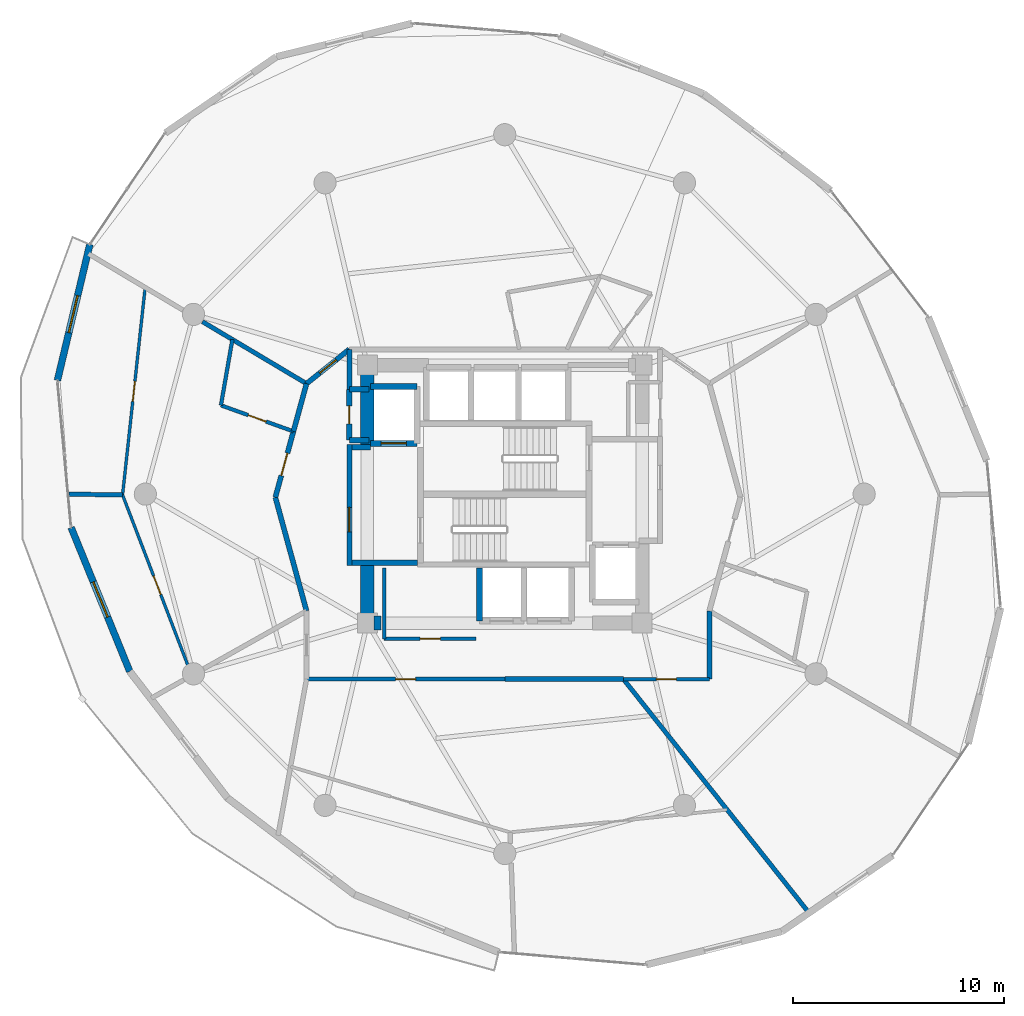
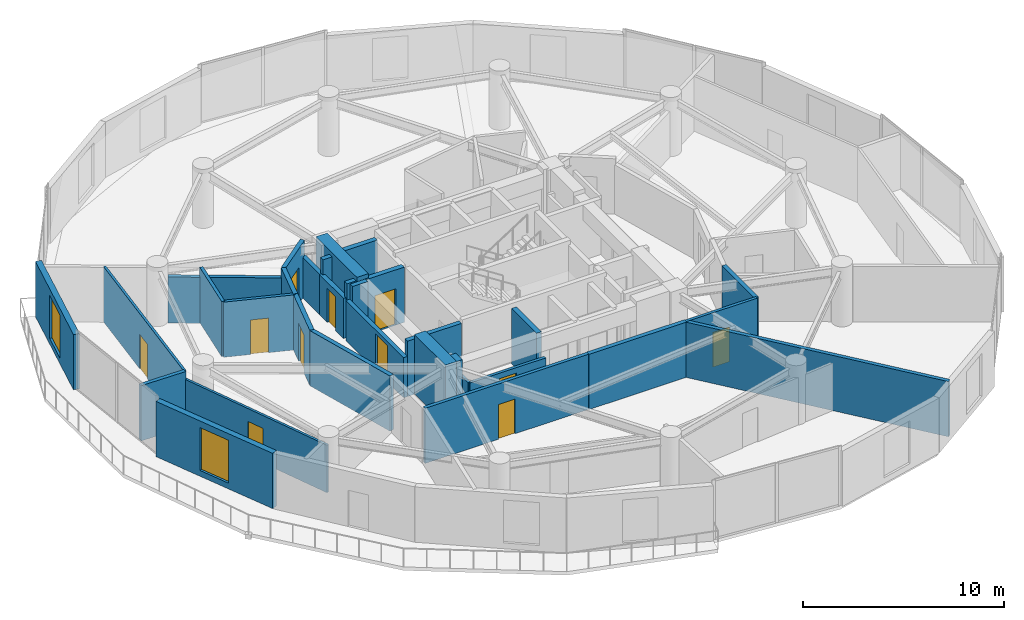
# One storey, part 18 of 22: 32 walls, 11 doors, 2 windows, 13 openings.
"""IFC4 building model written with IfcOpenShell, lengths in metres."""

from ifc_helpers import new_model, si_unit, direction, frame, frame_2d, origin, place, context, subcontext, project, spatial, rectangle, extrude, material, layer, layer_set, type_object, element, fill, save


model = new_model("IFC4")

# Units and contexts
model_context = context("Model", 3, precision=1e-05, world=origin(), true_north=direction((0.0, 1.0)))
body_context = subcontext(model_context, "Body", "Model", "MODEL_VIEW")
ifc_project = project(units=[si_unit("LENGTHUNIT", "METRE"), si_unit("AREAUNIT", "SQUARE_METRE"), si_unit("VOLUMEUNIT", "CUBIC_METRE"), si_unit("PLANEANGLEUNIT", "RADIAN"), si_unit("MASSUNIT", "GRAM", prefix="KILO")], contexts=[model_context])

# Site, building, storey
site_placement = place(None, origin())
site = spatial("IfcSite", under=ifc_project, at=site_placement, CompositionType="ELEMENT")
building_placement = place(site_placement, origin())
building = spatial("IfcBuilding", under=site, at=building_placement, Name="Solvirekh Grand Hotel", CompositionType="ELEMENT")
storey_placement = place(building_placement, frame((0.0, 0.0, 145.800048828125)))
storey = spatial("IfcBuildingStorey", under=building, at=storey_placement, Name="L37", CompositionType="ELEMENT", Elevation=145.800048828125)

# Wall
ifc_material_1 = material(Name="Concrete C40/50", Category="concrete")
ifc_layer_1 = layer(ifc_material_1, 0.280029296875)
ifc_layer_set_1 = layer_set([ifc_layer_1], Name="Concrete C40/50")
wall_type_1 = type_object("IfcWallType", Name="CoreShaftWall_RC280", PredefinedType="SOLIDWALL", material=ifc_layer_set_1)
wall_1_placement = place(storey_placement, frame((-1.199951171875, -3.5, 0.0), z_axis=(0.0, 0.0, 1.0), x_axis=(0.0, -1.0, 0.0)))
element("IfcWall", 1, at=wall_1_placement, inside=storey, type_object=wall_type_1, Name="L37 MP-1 hoistway W wall", PredefinedType="SOLIDWALL", context=body_context, shape_type="SweptSolid", body=[
    extrude(rectangle(XDim=2.5, YDim=0.280029296875, at=frame_2d((1.25, 0.0))), origin(), (0.0, 0.0, 1.0), 3.349853515625),
])

# Wall, opening, door
wall_2_placement = place(storey_placement, frame((-6.35009765625, 2.39990234375, 0.0), z_axis=(0.0, 0.0, 1.0), x_axis=(1.0, 0.0, 0.0)))
wall_2 = element("IfcWall", 2, at=wall_2_placement, inside=storey, type_object=wall_type_1, Name="L37 FL-1 hoistway S wall", PredefinedType="SOLIDWALL", context=body_context, shape_type="SweptSolid", body=[
    extrude(rectangle(XDim=2.2001953125, YDim=0.280029296875, at=frame_2d((1.10009765625, 0.0))), origin(), (0.0, 0.0, 1.0), 3.349853515625),
])
opening_1_placement = place(wall_2_placement, frame((0.5, 0.0, 0.0)))
opening_1 = element("IfcOpeningElement", 3, at=opening_1_placement, cuts=wall_2, Name="Opening LD02", PredefinedType="OPENING", context=body_context, shape_type="SweptSolid", body=[
    extrude(rectangle(XDim=1.199951171875, YDim=2.199951171875, at=frame_2d((0.60009765625, 1.10009765625))), frame((0.0, 0.14990234375, 0.0), z_axis=(0.0, -1.0, 0.0), x_axis=(1.0, 0.0, 0.0)), (0.0, 0.0, 1.0), 0.300048828125),
])
ifc_material_2 = material(Name="Fire-Rated Steel Door Assembly", Category="steel")
door_type_1 = type_object("IfcDoorType", Name="Door_LiftFF_1200X2200", OperationType="SLIDING_TO_LEFT", PredefinedType="DOOR", material=ifc_material_2)
door_1_placement = place(opening_1_placement, origin())
door_1 = element("IfcDoor", 4, at=door_1_placement, inside=storey, type_object=door_type_1, Name="L37 FL-1 sliding lift landing door", OperationType="SLIDING_TO_LEFT", OverallHeight=2.199951171875, OverallWidth=1.199951171875, PredefinedType="DOOR", context=body_context, shape_type="SweptSolid", body=[
    extrude(rectangle(XDim=1.199951171875, YDim=2.199951171875, at=frame_2d((0.60009765625, 1.10009765625))), frame((0.0, 0.02490234375, 0.0), z_axis=(0.0, -1.0, 0.0), x_axis=(1.0, 0.0, 0.0)), (0.0, 0.0, 1.0), 0.050048828125),
])
fill(opening_1, door_1)

# Walls
wall_3_placement = place(storey_placement, frame((-4.14990234375, 5.10009765625, 0.0), z_axis=(0.0, 0.0, 1.0), x_axis=(-1.0, 0.0, 0.0)))
element("IfcWall", 5, at=wall_3_placement, inside=storey, type_object=wall_type_1, Name="L37 FL-1 hoistway N wall", PredefinedType="SOLIDWALL", context=body_context, shape_type="SweptSolid", body=[
    extrude(rectangle(XDim=2.2001953125, YDim=0.280029296875, at=frame_2d((1.10009765625, 0.0))), origin(), (0.0, 0.0, 1.0), 3.349853515625),
])
ifc_material_3 = material(Name="Concrete C50/60", Category="concrete")
ifc_layer_2 = layer(ifc_material_3, 0.64990234375)
ifc_layer_set_2 = layer_set([ifc_layer_2], Name="Concrete C50/60")
wall_type_2 = type_object("IfcWallType", Name="CoreWall_RC650", PredefinedType="SHEAR", material=ifc_layer_set_2)
wall_4_placement = place(storey_placement, frame((-6.175048828125, -6.10009765625, 0.0), z_axis=(0.0, 0.0, 1.0), x_axis=(1.0, 0.0, 0.0)))
element("IfcWall", 6, at=wall_4_placement, inside=storey, type_object=wall_type_2, Name="L37 core corner shear wall SW-S", PredefinedType="SHEAR", context=body_context, shape_type="SweptSolid", body=[
    extrude(rectangle(XDim=0.324951171875, YDim=0.64990234375, at=frame_2d((0.16259765625, 0.0))), origin(), (0.0, 0.0, 1.0), 3.599853515625),
])
wall_5_placement = place(storey_placement, frame((-6.5, 2.35009765625, 0.0), z_axis=(0.0, 0.0, 1.0), x_axis=(0.0, 1.0, 0.0)))
element("IfcWall", 7, at=wall_5_placement, inside=storey, type_object=wall_type_2, Name="L37 core corner shear wall WN-W", PredefinedType="SHEAR", context=body_context, shape_type="SweptSolid", body=[
    extrude(rectangle(XDim=4.074951171875, YDim=0.64990234375, at=frame_2d((2.03759765625, 0.0))), origin(), (0.0, 0.0, 1.0), 3.599853515625),
])
wall_6_placement = place(storey_placement, frame((-6.5, -6.425048828125, 0.0), z_axis=(0.0, 0.0, 1.0), x_axis=(0.0, 1.0, 0.0)))
element("IfcWall", 8, at=wall_6_placement, inside=storey, type_object=wall_type_2, Name="L37 core corner shear wall WS-W", PredefinedType="SHEAR", context=body_context, shape_type="SweptSolid", body=[
    extrude(rectangle(XDim=3.074951171875, YDim=0.64990234375, at=frame_2d((1.53759765625, 0.0))), origin(), (0.0, 0.0, 1.0), 3.599853515625),
])

# Wall, opening, window
ifc_material_4 = material(Name="Precast concrete C45/55", Category="concrete")
ifc_layer_3 = layer(ifc_material_4, 0.320068359375)
ifc_layer_set_3 = layer_set([ifc_layer_3], Name="Precast concrete C45/55")
wall_type_3 = type_object("IfcWallType", Name="ExtLobbyWall_RC320", PredefinedType="SOLIDWALL", material=ifc_layer_set_3)
wall_7_placement = place(storey_placement, frame((-21.157958984375, 5.3779296875, 0.0), z_axis=(0.0, 0.0, 1.0), x_axis=(0.231941586556, 0.972729716019, 0.0)))
wall_7 = element("IfcWall", 9, at=wall_7_placement, inside=storey, type_object=wall_type_3, Name="L37 exterior structural wall chord 12", PredefinedType="SOLIDWALL", context=body_context, shape_type="SweptSolid", body=[
    extrude(rectangle(XDim=6.613525390625, YDim=0.320068359375, at=frame_2d((3.306640625, 0.0))), origin(), (0.0, 0.0, 1.0), 3.349853515625),
])
opening_2_placement = place(wall_7_placement, frame((2.323974609375, 0.0, 0.35009765625)))
opening_2 = element("IfcOpeningElement", 10, at=opening_2_placement, cuts=wall_7, Name="Opening W02", PredefinedType="OPENING", context=body_context, shape_type="SweptSolid", body=[
    extrude(rectangle(XDim=1.800048828125, YDim=2.60009765625, at=frame_2d((0.89990234375, 1.300048828125))), frame((0.0, 0.169921875, 0.0), z_axis=(0.0, -1.0, 0.0), x_axis=(1.0, 0.0, 0.0)), (0.0, 0.0, 1.0), 0.340087890625),
])
ifc_material_5 = material(Name="Low-E Tinted Bronze Laminated Glass", Category="aluminium")
window_type = type_object("IfcWindowType", Name="Win_LobbyExt_1800X2600", PartitioningType="SINGLE_PANEL", PredefinedType="WINDOW", material=ifc_material_5)
window_1_placement = place(opening_2_placement, origin())
window_1 = element("IfcWindow", 11, at=window_1_placement, inside=storey, type_object=window_type, Name="L37 panoramic bronze-framed window 12", OverallHeight=2.60009765625, OverallWidth=1.800048828125, PartitioningType="SINGLE_PANEL", PredefinedType="WINDOW", context=body_context, shape_type="SweptSolid", body=[
    extrude(rectangle(XDim=1.800048828125, YDim=2.60009765625, at=frame_2d((0.89990234375, 1.300048828125))), frame((0.0, 0.030029296875, 0.0), z_axis=(0.0, -1.0, 0.0), x_axis=(1.0, 0.0, 0.0)), (0.0, 0.0, 1.0), 0.06005859375),
])
fill(opening_2, window_1)

wall_8_placement = place(storey_placement, frame((-17.738037109375, -8.385009765625, 0.0), z_axis=(0.0, 0.0, 1.0), x_axis=(-0.377067798902, 0.926185659051, 0.0)))
wall_8 = element("IfcWall", 12, at=wall_8_placement, inside=storey, type_object=wall_type_3, Name="L37 exterior structural wall chord 14", PredefinedType="SOLIDWALL", context=body_context, shape_type="SweptSolid", body=[
    extrude(rectangle(XDim=7.34619140625, YDim=0.320068359375, at=frame_2d((3.673095703125, 0.0))), origin(), (0.0, 0.0, 1.0), 3.349853515625),
])
opening_3_placement = place(wall_8_placement, frame((2.77294921875, 0.0, 0.35009765625)))
opening_3 = element("IfcOpeningElement", 13, at=opening_3_placement, cuts=wall_8, Name="Opening W02", PredefinedType="OPENING", context=body_context, shape_type="SweptSolid", body=[
    extrude(rectangle(XDim=1.800048828125, YDim=2.60009765625, at=frame_2d((0.89990234375, 1.300048828125))), frame((0.0, 0.169921875, 0.0), z_axis=(0.0, -1.0, 0.0), x_axis=(1.0, 0.0, 0.0)), (0.0, 0.0, 1.0), 0.340087890625),
])
window_2_placement = place(opening_3_placement, origin())
window_2 = element("IfcWindow", 14, at=window_2_placement, inside=storey, type_object=window_type, Name="L37 panoramic bronze-framed window 14", OverallHeight=2.60009765625, OverallWidth=1.800048828125, PartitioningType="SINGLE_PANEL", PredefinedType="WINDOW", context=body_context, shape_type="SweptSolid", body=[
    extrude(rectangle(XDim=1.800048828125, YDim=2.60009765625, at=frame_2d((0.89990234375, 1.300048828125))), frame((0.0, 0.030029296875, 0.0), z_axis=(0.0, -1.0, 0.0), x_axis=(1.0, 0.0, 0.0)), (0.0, 0.0, 1.0), 0.06005859375),
])
fill(opening_3, window_2)

# Wall, opening, door
ifc_material_6 = material(Name="Acoustic Gypsum Partition Assembly")
ifc_layer_4 = layer(ifc_material_6, 0.1650390625)
ifc_layer_set_4 = layer_set([ifc_layer_4], Name="Acoustic Gypsum Partition Assembly")
wall_type_4 = type_object("IfcWallType", Name="Part_BOH_165", PredefinedType="PARTITIONING", material=ifc_layer_set_4)
wall_9_placement = place(storey_placement, frame((-5.699951171875, -6.85009765625, 0.0), z_axis=(0.0, 0.0, 1.0), x_axis=(1.0, 0.0, 0.0)))
wall_9 = element("IfcWall", 15, at=wall_9_placement, inside=storey, type_object=wall_type_4, Name="L37 Mid-Zone Housekeeping Linen Room wall 1", PredefinedType="PARTITIONING", context=body_context, shape_type="SweptSolid", body=[
    extrude(rectangle(XDim=4.349853515625, YDim=0.1650390625, at=frame_2d((2.1748046875, 0.0))), origin(), (0.0, 0.0, 1.0), 2.43505859375),
])
opening_4_placement = place(wall_9_placement, frame((1.699951171875, 0.0, 0.0)))
opening_4 = element("IfcOpeningElement", 16, at=opening_4_placement, cuts=wall_9, Name="Opening D10", PredefinedType="OPENING", context=body_context, shape_type="SweptSolid", body=[
    extrude(rectangle(XDim=0.949951171875, YDim=2.10009765625, at=frame_2d((0.47509765625, 1.050048828125))), frame((0.0, 0.092529296875, 0.0), z_axis=(0.0, -1.0, 0.0), x_axis=(1.0, 0.0, 0.0)), (0.0, 0.0, 1.0), 0.18505859375),
])
ifc_material_7 = material(Name="Anodized Bronze Aluminium 6063-T6", Category="aluminium")
door_type_2 = type_object("IfcDoorType", Name="Door_RoomInt_950X2100", OperationType="NOTDEFINED", PredefinedType="DOOR", material=ifc_material_7)
door_2_placement = place(opening_4_placement, origin())
door_2 = element("IfcDoor", 17, at=door_2_placement, inside=storey, type_object=door_type_2, Name="L37 Mid-Zone Housekeeping Linen Room door", OperationType="SINGLE_SWING_RIGHT", OverallHeight=2.10009765625, OverallWidth=0.949951171875, PredefinedType="DOOR", context=body_context, shape_type="SweptSolid", body=[
    extrude(rectangle(XDim=0.949951171875, YDim=2.10009765625, at=frame_2d((0.47509765625, 1.050048828125))), frame((0.0, 0.02490234375, 0.0), z_axis=(0.0, -1.0, 0.0), x_axis=(1.0, 0.0, 0.0)), (0.0, 0.0, 1.0), 0.050048828125),
])
fill(opening_4, door_2)

# Wall
wall_10_placement = place(storey_placement, frame((-5.699951171875, -3.5, 0.0), z_axis=(0.0, 0.0, 1.0), x_axis=(0.0, -1.0, 0.0)))
element("IfcWall", 18, at=wall_10_placement, inside=storey, type_object=wall_type_4, Name="L37 Mid-Zone Housekeeping Linen Room wall 4", PredefinedType="PARTITIONING", context=body_context, shape_type="SweptSolid", body=[
    extrude(rectangle(XDim=3.35009765625, YDim=0.1650390625, at=frame_2d((1.675048828125, 0.0))), origin(), (0.0, 0.0, 1.0), 2.43505859375),
])

# Wall, opening, door
wall_11_placement = place(storey_placement, frame((5.612060546875, -8.75, 0.0), z_axis=(0.0, 0.0, 1.0), x_axis=(1.0, 0.0, 0.0)))
wall_11 = element("IfcWall", 19, at=wall_11_placement, inside=storey, type_object=wall_type_4, Name="L37 L37 Butler Valet & Linen Steward Room entrance wall", PredefinedType="PARTITIONING", context=body_context, shape_type="SweptSolid", body=[
    extrude(rectangle(XDim=4.06396484375, YDim=0.1650390625, at=frame_2d((2.031982421875, 0.0))), origin(), (0.0, 0.0, 1.0), 3.349853515625),
])
opening_5_placement = place(wall_11_placement, frame((1.556884765625, 0.0, 0.0)))
opening_5 = element("IfcOpeningElement", 20, at=opening_5_placement, cuts=wall_11, Name="Opening D10", PredefinedType="OPENING", context=body_context, shape_type="SweptSolid", body=[
    extrude(rectangle(XDim=0.949951171875, YDim=2.10009765625, at=frame_2d((0.47509765625, 1.050048828125))), frame((0.0, 0.092529296875, 0.0), z_axis=(0.0, -1.0, 0.0), x_axis=(1.0, 0.0, 0.0)), (0.0, 0.0, 1.0), 0.18505859375),
])
door_3_placement = place(opening_5_placement, origin())
door_3 = element("IfcDoor", 21, at=door_3_placement, inside=storey, type_object=door_type_2, Name="L37 L37 Butler Valet & Linen Steward Room entrance door", OperationType="SINGLE_SWING_LEFT", OverallHeight=2.10009765625, OverallWidth=0.949951171875, PredefinedType="DOOR", context=body_context, shape_type="SweptSolid", body=[
    extrude(rectangle(XDim=0.949951171875, YDim=2.10009765625, at=frame_2d((0.47509765625, 1.050048828125))), frame((0.0, 0.02490234375, 0.0), z_axis=(0.0, -1.0, 0.0), x_axis=(1.0, 0.0, 0.0)), (0.0, 0.0, 1.0), 0.050048828125),
])
fill(opening_5, door_3)

ifc_layer_5 = layer(ifc_material_6, 0.239990234375)
ifc_layer_set_5 = layer_set([ifc_layer_5], Name="Acoustic Gypsum Partition Assembly")
wall_type_5 = type_object("IfcWallType", Name="Part_Corridor_240", PredefinedType="PARTITIONING", material=ifc_layer_set_5)
wall_12_placement = place(storey_placement, frame((-7.35009765625, -3.3798828125, 0.0), z_axis=(0.0, 0.0, 1.0), x_axis=(0.0, 1.0, 0.0)))
wall_12 = element("IfcWall", 22, at=wall_12_placement, inside=storey, type_object=wall_type_5, Name="L37 west firefighting lobby smoke screen wall", PredefinedType="PARTITIONING", context=body_context, shape_type="SweptSolid", body=[
    extrude(rectangle(XDim=5.719970703125, YDim=0.239990234375, at=frame_2d((2.85986328125, 0.0))), origin(), (0.0, 0.0, 1.0), 2.43505859375),
])
opening_6_placement = place(wall_12_placement, frame((1.59912109375, 0.0, 0.0)))
opening_6 = element("IfcOpeningElement", 23, at=opening_6_placement, cuts=wall_12, Name="Opening D06", PredefinedType="OPENING", context=body_context, shape_type="SweptSolid", body=[
    extrude(rectangle(XDim=1.14990234375, YDim=2.199951171875, at=frame_2d((0.574951171875, 1.10009765625))), frame((0.0, 0.1298828125, 0.0), z_axis=(0.0, -1.0, 0.0), x_axis=(1.0, 0.0, 0.0)), (0.0, 0.0, 1.0), 0.260009765625),
])
door_type_3 = type_object("IfcDoorType", Name="Door_FFLobby_1150X2200", OperationType="NOTDEFINED", PredefinedType="DOOR", material=ifc_material_2)
door_4_placement = place(opening_6_placement, origin())
door_4 = element("IfcDoor", 24, at=door_4_placement, inside=storey, type_object=door_type_3, Name="L37 west firefighting lobby smoke door", OperationType="SINGLE_SWING_RIGHT", OverallHeight=2.199951171875, OverallWidth=1.14990234375, PredefinedType="DOOR", context=body_context, shape_type="SweptSolid", body=[
    extrude(rectangle(XDim=1.14990234375, YDim=2.199951171875, at=frame_2d((0.574951171875, 1.10009765625))), frame((0.0, 0.02490234375, 0.0), z_axis=(0.0, -1.0, 0.0), x_axis=(1.0, 0.0, 0.0)), (0.0, 0.0, 1.0), 0.050048828125),
])
fill(opening_6, door_4)

# Wall
wall_13_placement = place(storey_placement, frame((-7.35009765625, 4.949951171875, 0.0), z_axis=(0.0, 0.0, 1.0), x_axis=(0.0, 1.0, 0.0)))
element("IfcWall", 25, at=wall_13_placement, inside=storey, type_object=wall_type_5, Name="L37 NW core cheek closure wall", PredefinedType="PARTITIONING", context=body_context, shape_type="SweptSolid", body=[
    extrude(rectangle(XDim=1.900146484375, YDim=0.239990234375, at=frame_2d((0.9501953125, 0.0))), origin(), (0.0, 0.0, 1.0), 2.43505859375),
])

# Wall, opening, door
wall_14_placement = place(storey_placement, frame((-9.3759765625, 5.22509765625, 0.0), z_axis=(0.0, 0.0, 1.0), x_axis=(0.780061082582, 0.625703370169, 0.0)))
wall_14 = element("IfcWall", 26, at=wall_14_placement, inside=storey, type_object=wall_type_5, Name="L37 Panorama Suite 3902 entrance wall", PredefinedType="PARTITIONING", context=body_context, shape_type="SweptSolid", body=[
    extrude(rectangle(XDim=2.59716796875, YDim=0.239990234375, at=frame_2d((1.298583984375, 0.0))), origin(), (0.0, 0.0, 1.0), 3.349853515625),
])
opening_7_placement = place(wall_14_placement, frame((0.799072265625, 0.0, 0.0)))
opening_7 = element("IfcOpeningElement", 27, at=opening_7_placement, cuts=wall_14, Name="Opening D07", PredefinedType="OPENING", context=body_context, shape_type="SweptSolid", body=[
    extrude(rectangle(XDim=1.0, YDim=2.199951171875, at=frame_2d((0.5, 1.10009765625))), frame((0.0, 0.1298828125, 0.0), z_axis=(0.0, -1.0, 0.0), x_axis=(1.0, 0.0, 0.0)), (0.0, 0.0, 1.0), 0.260009765625),
])
door_type_4 = type_object("IfcDoorType", Name="Door_GuestEntry_1000X2200", OperationType="NOTDEFINED", PredefinedType="DOOR", material=ifc_material_2)
door_5_placement = place(opening_7_placement, origin())
door_5 = element("IfcDoor", 28, at=door_5_placement, inside=storey, type_object=door_type_4, Name="L37 Panorama Suite 3902 entrance door", OperationType="SINGLE_SWING_RIGHT", OverallHeight=2.199951171875, OverallWidth=1.0, PredefinedType="DOOR", context=body_context, shape_type="SweptSolid", body=[
    extrude(rectangle(XDim=1.0, YDim=2.199951171875, at=frame_2d((0.5, 1.10009765625))), frame((0.0, 0.02490234375, 0.0), z_axis=(0.0, -1.0, 0.0), x_axis=(1.0, 0.0, 0.0)), (0.0, 0.0, 1.0), 0.050048828125),
])
fill(opening_7, door_5)

# Walls
wall_15_placement = place(storey_placement, frame((-9.3759765625, 5.22509765625, 0.0), z_axis=(0.0, 0.0, 1.0), x_axis=(-0.264431780812, -0.964404393031, 0.0)))
element("IfcWall", 29, at=wall_15_placement, inside=storey, type_object=wall_type_5, Name="L37 En-suite Bathroom 3903 corridor backing wall", PredefinedType="PARTITIONING", context=body_context, shape_type="SweptSolid", body=[
    extrude(rectangle(XDim=2.34130859375, YDim=0.239990234375, at=frame_2d((1.170654296875, 0.0))), origin(), (0.0, 0.0, 1.0), 3.349853515625),
])
wall_16_placement = place(storey_placement, frame((-10.85009765625, -0.14990234375, 0.0), z_axis=(0.0, 0.0, 1.0), x_axis=(0.264488542062, -0.964388827765, 0.0)))
element("IfcWall", 30, at=wall_16_placement, inside=storey, type_object=wall_type_5, Name="L37 Executive Suite 3903 Living Room corridor wall 1", PredefinedType="PARTITIONING", context=body_context, shape_type="SweptSolid", body=[
    extrude(rectangle(XDim=5.573486328125, YDim=0.239990234375, at=frame_2d((2.78662109375, 0.0))), origin(), (0.0, 0.0, 1.0), 3.349853515625),
])

# Wall, opening, door
wall_17_placement = place(storey_placement, frame((-9.9951171875, 2.967041015625, 0.0), z_axis=(0.0, 0.0, 1.0), x_axis=(-0.264529660797, -0.9643775498, 0.0)))
wall_17 = element("IfcWall", 31, at=wall_17_placement, inside=storey, type_object=wall_type_5, Name="L37 Executive Suite 3903 Living Room entrance wall", PredefinedType="PARTITIONING", context=body_context, shape_type="SweptSolid", body=[
    extrude(rectangle(XDim=3.232177734375, YDim=0.239990234375, at=frame_2d((1.6162109375, 0.0))), origin(), (0.0, 0.0, 1.0), 3.349853515625),
])
opening_8_placement = place(wall_17_placement, frame((1.06591796875, 0.0, 0.0)))
opening_8 = element("IfcOpeningElement", 32, at=opening_8_placement, cuts=wall_17, Name="Opening D08", PredefinedType="OPENING", context=body_context, shape_type="SweptSolid", body=[
    extrude(rectangle(XDim=1.10009765625, YDim=2.300048828125, at=frame_2d((0.550048828125, 1.14990234375))), frame((0.0, 0.1298828125, 0.0), z_axis=(0.0, -1.0, 0.0), x_axis=(1.0, 0.0, 0.0)), (0.0, 0.0, 1.0), 0.260009765625),
])
door_type_5 = type_object("IfcDoorType", Name="Door_SuiteEntry_1100X2300", OperationType="NOTDEFINED", PredefinedType="DOOR", material=ifc_material_2)
door_6_placement = place(opening_8_placement, origin())
door_6 = element("IfcDoor", 33, at=door_6_placement, inside=storey, type_object=door_type_5, Name="L37 Executive Suite 3903 Living Room entrance door", OperationType="SINGLE_SWING_RIGHT", OverallHeight=2.300048828125, OverallWidth=1.10009765625, PredefinedType="DOOR", context=body_context, shape_type="SweptSolid", body=[
    extrude(rectangle(XDim=1.10009765625, YDim=2.300048828125, at=frame_2d((0.550048828125, 1.14990234375))), frame((0.0, 0.02490234375, 0.0), z_axis=(0.0, -1.0, 0.0), x_axis=(1.0, 0.0, 0.0)), (0.0, 0.0, 1.0), 0.050048828125),
])
fill(opening_8, door_6)

# Walls
wall_18_placement = place(storey_placement, frame((0.0, -8.75, 0.0), z_axis=(0.0, 0.0, 1.0), x_axis=(1.0, 0.0, 0.0)))
element("IfcWall", 34, at=wall_18_placement, inside=storey, type_object=wall_type_5, Name="L37 L37 Royal Library Lounge corridor wall 1", PredefinedType="PARTITIONING", context=body_context, shape_type="SweptSolid", body=[
    extrude(rectangle(XDim=5.612060546875, YDim=0.239990234375, at=frame_2d((2.80615234375, 0.0))), origin(), (0.0, 0.0, 1.0), 3.349853515625),
])
wall_19_placement = place(storey_placement, frame((9.676025390625, -8.75, 0.0), z_axis=(0.0, 0.0, 1.0), x_axis=(0.0, 1.0, 0.0)))
element("IfcWall", 35, at=wall_19_placement, inside=storey, type_object=wall_type_5, Name="L37 L37 Butler Valet & Linen Steward Room corridor wall 1", PredefinedType="PARTITIONING", context=body_context, shape_type="SweptSolid", body=[
    extrude(rectangle(XDim=3.22509765625, YDim=0.239990234375, at=frame_2d((1.612548828125, 0.0))), origin(), (0.0, 0.0, 1.0), 3.349853515625),
])

# Wall, opening, door
ifc_layer_6 = layer(ifc_material_6, 0.18994140625)
ifc_layer_set_6 = layer_set([ifc_layer_6], Name="Acoustic Gypsum Partition Assembly")
wall_type_6 = type_object("IfcWallType", Name="Part_GuestDemise_190", PredefinedType="PARTITIONING", material=ifc_layer_set_6)
wall_20_placement = place(storey_placement, frame((-9.3759765625, -8.75, 0.0), z_axis=(0.0, 0.0, 1.0), x_axis=(1.0, 0.0, 0.0)))
wall_20 = element("IfcWall", 36, at=wall_20_placement, inside=storey, type_object=wall_type_6, Name="L37 L37 Royal Library Lounge entrance wall", PredefinedType="PARTITIONING", context=body_context, shape_type="SweptSolid", body=[
    extrude(rectangle(XDim=9.3759765625, YDim=0.18994140625, at=frame_2d((4.68798828125, 0.0))), origin(), (0.0, 0.0, 1.0), 3.349853515625),
])
opening_9_placement = place(wall_20_placement, frame((4.212890625, 0.0, 0.0)))
opening_9 = element("IfcOpeningElement", 37, at=opening_9_placement, cuts=wall_20, Name="Opening D10", PredefinedType="OPENING", context=body_context, shape_type="SweptSolid", body=[
    extrude(rectangle(XDim=0.949951171875, YDim=2.10009765625, at=frame_2d((0.47509765625, 1.050048828125))), frame((0.0, 0.10498046875, 0.0), z_axis=(0.0, -1.0, 0.0), x_axis=(1.0, 0.0, 0.0)), (0.0, 0.0, 1.0), 0.2099609375),
])
door_7_placement = place(opening_9_placement, origin())
door_7 = element("IfcDoor", 38, at=door_7_placement, inside=storey, type_object=door_type_2, Name="L37 L37 Royal Library Lounge entrance door", OperationType="SINGLE_SWING_LEFT", OverallHeight=2.10009765625, OverallWidth=0.949951171875, PredefinedType="DOOR", context=body_context, shape_type="SweptSolid", body=[
    extrude(rectangle(XDim=0.949951171875, YDim=2.10009765625, at=frame_2d((0.47509765625, 1.050048828125))), frame((0.0, 0.02490234375, 0.0), z_axis=(0.0, -1.0, 0.0), x_axis=(1.0, 0.0, 0.0)), (0.0, 0.0, 1.0), 0.050048828125),
])
fill(opening_9, door_7)

# Walls
ifc_layer_7 = layer(ifc_material_6, 0.260009765625)
ifc_layer_set_7 = layer_set([ifc_layer_7], Name="Acoustic Gypsum Partition Assembly")
wall_type_7 = type_object("IfcWallType", Name="Part_LobbyFF_260", PredefinedType="PARTITIONING", material=ifc_layer_set_7)
wall_21_placement = place(storey_placement, frame((-7.22509765625, -3.25, 0.0), z_axis=(0.0, 0.0, 1.0), x_axis=(1.0, 0.0, 0.0)))
element("IfcWall", 39, at=wall_21_placement, inside=storey, type_object=wall_type_7, Name="L37 west firefighting lobby south partition", PredefinedType="PARTITIONING", context=body_context, shape_type="SweptSolid", body=[
    extrude(rectangle(XDim=3.09521484375, YDim=0.260009765625, at=frame_2d((1.547607421875, 0.0))), origin(), (0.0, 0.0, 1.0), 3.349853515625),
])
wall_22_placement = place(storey_placement, frame((-7.22509765625, 2.2099609375, 0.0), z_axis=(0.0, 0.0, 1.0), x_axis=(1.0, 0.0, 0.0)))
element("IfcWall", 40, at=wall_22_placement, inside=storey, type_object=wall_type_7, Name="L37 west firefighting lobby NW cheek", PredefinedType="PARTITIONING", context=body_context, shape_type="SweptSolid", body=[
    extrude(rectangle(XDim=0.875, YDim=0.260009765625, at=frame_2d((0.4375, 0.0))), origin(), (0.0, 0.0, 1.0), 3.349853515625),
])
for number, where, z_axis, x_axis, name in (
    (41, (-7.35009765625, 4.949951171875, 0.0), (0.0, 0.0, 1.0), (1.0, 0.0, 0.0), "L37 NW telecom metering cupboard north wall"),
    (42, (-7.35009765625, 2.550048828125, 0.0), (0.0, 0.0, 1.0), (1.0, 0.0, 0.0), "L37 NW telecom metering cupboard south wall"),
):
    element("IfcWall", number, at=place(storey_placement, frame(where, z_axis=z_axis, x_axis=x_axis)), inside=storey, type_object=wall_type_7, Name=name, PredefinedType="PARTITIONING", context=body_context, shape_type="SweptSolid", body=[
        extrude(rectangle(XDim=0.93017578125, YDim=0.260009765625, at=frame_2d((0.465087890625, 0.0))), origin(), (0.0, 0.0, 1.0), 3.349853515625),
    ])

# Wall, opening, door
wall_23_placement = place(storey_placement, frame((-7.35009765625, 2.550048828125, 0.0), z_axis=(0.0, 0.0, 1.0), x_axis=(0.0, 1.0, 0.0)))
wall_23 = element("IfcWall", 43, at=wall_23_placement, inside=storey, type_object=wall_type_7, Name="L37 NW telecom metering cupboard access wall", PredefinedType="PARTITIONING", context=body_context, shape_type="SweptSolid", body=[
    extrude(rectangle(XDim=2.39990234375, YDim=0.260009765625, at=frame_2d((1.199951171875, 0.0))), origin(), (0.0, 0.0, 1.0), 2.43505859375),
])
opening_10_placement = place(wall_23_placement, frame((0.77490234375, 0.0, 0.0)))
opening_10 = element("IfcOpeningElement", 44, at=opening_10_placement, cuts=wall_23, Name="Opening D13", PredefinedType="OPENING", context=body_context, shape_type="SweptSolid", body=[
    extrude(rectangle(XDim=0.85009765625, YDim=2.050048828125, at=frame_2d((0.425048828125, 1.02490234375))), frame((0.0, 0.14013671875, 0.0), z_axis=(0.0, -1.0, 0.0), x_axis=(1.0, 0.0, 0.0)), (0.0, 0.0, 1.0), 0.280029296875),
])
door_type_6 = type_object("IfcDoorType", Name="Door_RiserShaft_850X2050", OperationType="NOTDEFINED", PredefinedType="DOOR", material=ifc_material_2)
door_8_placement = place(opening_10_placement, origin())
door_8 = element("IfcDoor", 45, at=door_8_placement, inside=storey, type_object=door_type_6, Name="L37 telecom metering cupboard access door", OperationType="SINGLE_SWING_RIGHT", OverallHeight=2.050048828125, OverallWidth=0.85009765625, PredefinedType="DOOR", context=body_context, shape_type="SweptSolid", body=[
    extrude(rectangle(XDim=0.85009765625, YDim=2.050048828125, at=frame_2d((0.425048828125, 1.02490234375))), frame((0.0, 0.02490234375, 0.0), z_axis=(0.0, -1.0, 0.0), x_axis=(1.0, 0.0, 0.0)), (0.0, 0.0, 1.0), 0.050048828125),
])
fill(opening_10, door_8)

ifc_layer_8 = layer(ifc_material_6, 0.135009765625)
ifc_layer_set_8 = layer_set([ifc_layer_8], Name="Acoustic Gypsum Partition Assembly")
wall_type_8 = type_object("IfcWallType", Name="Part_RoomInt_135", PredefinedType="PARTITIONING", material=ifc_layer_set_8)
wall_24_placement = place(storey_placement, frame((-17.008056640625, 9.77099609375, 0.0), z_axis=(0.0, 0.0, 1.0), x_axis=(-0.108313259842, -0.994116812926, 0.0)))
wall_24 = element("IfcWall", 46, at=wall_24_placement, inside=storey, type_object=wall_type_8, Name="L37 Executive Suite 3903 Living Room bedroom screen wall", PredefinedType="PARTITIONING", context=body_context, shape_type="SweptSolid", body=[
    extrude(rectangle(XDim=9.8681640625, YDim=0.135009765625, at=frame_2d((4.93408203125, 0.0))), origin(), (0.0, 0.0, 1.0), 3.349853515625),
])
opening_11_placement = place(wall_24_placement, frame((4.458984375, 0.0, 0.0)))
opening_11 = element("IfcOpeningElement", 47, at=opening_11_placement, cuts=wall_24, Name="Opening D10", PredefinedType="OPENING", context=body_context, shape_type="SweptSolid", body=[
    extrude(rectangle(XDim=0.949951171875, YDim=2.10009765625, at=frame_2d((0.47509765625, 1.050048828125))), frame((0.0, 0.07763671875, 0.0), z_axis=(0.0, -1.0, 0.0), x_axis=(1.0, 0.0, 0.0)), (0.0, 0.0, 1.0), 0.155029296875),
])
door_9_placement = place(opening_11_placement, origin())
door_9 = element("IfcDoor", 48, at=door_9_placement, inside=storey, type_object=door_type_2, Name="L37 Executive Suite 3903 Living Room master bedroom door", OperationType="SINGLE_SWING_LEFT", OverallHeight=2.10009765625, OverallWidth=0.949951171875, PredefinedType="DOOR", context=body_context, shape_type="SweptSolid", body=[
    extrude(rectangle(XDim=0.949951171875, YDim=2.10009765625, at=frame_2d((0.47509765625, 1.050048828125))), frame((0.0, 0.02490234375, 0.0), z_axis=(0.0, -1.0, 0.0), x_axis=(1.0, 0.0, 0.0)), (0.0, 0.0, 1.0), 0.050048828125),
])
fill(opening_11, door_9)

wall_25_placement = place(storey_placement, frame((-18.076904296875, -0.0390625, 0.0), z_axis=(0.0, 0.0, 1.0), x_axis=(0.357853364302, -0.933777794584, 0.0)))
wall_25 = element("IfcWall", 49, at=wall_25_placement, inside=storey, type_object=wall_type_8, Name="L37 Executive Suite 3903 Panorama Suite Study bedroom screen wall", PredefinedType="PARTITIONING", context=body_context, shape_type="SweptSolid", body=[
    extrude(rectangle(XDim=9.143310546875, YDim=0.135009765625, at=frame_2d((4.57177734375, 0.0))), origin(), (0.0, 0.0, 1.0), 2.87890625),
])
opening_12_placement = place(wall_25_placement, frame((4.096923828125, 0.0, 0.0)))
opening_12 = element("IfcOpeningElement", 50, at=opening_12_placement, cuts=wall_25, Name="Opening D10", PredefinedType="OPENING", context=body_context, shape_type="SweptSolid", body=[
    extrude(rectangle(XDim=0.949951171875, YDim=2.10009765625, at=frame_2d((0.47509765625, 1.050048828125))), frame((0.0, 0.07763671875, 0.0), z_axis=(0.0, -1.0, 0.0), x_axis=(1.0, 0.0, 0.0)), (0.0, 0.0, 1.0), 0.155029296875),
])
door_10_placement = place(opening_12_placement, origin())
door_10 = element("IfcDoor", 51, at=door_10_placement, inside=storey, type_object=door_type_2, Name="L37 Executive Suite 3903 Panorama Suite Study master bedroom door", OperationType="SINGLE_SWING_RIGHT", OverallHeight=2.10009765625, OverallWidth=0.949951171875, PredefinedType="DOOR", context=body_context, shape_type="SweptSolid", body=[
    extrude(rectangle(XDim=0.949951171875, YDim=2.10009765625, at=frame_2d((0.47509765625, 1.050048828125))), frame((0.0, 0.02490234375, 0.0), z_axis=(0.0, -1.0, 0.0), x_axis=(1.0, 0.0, 0.0)), (0.0, 0.0, 1.0), 0.050048828125),
])
fill(opening_12, door_10)

# Walls
ifc_layer_9 = layer(ifc_material_6, 0.2099609375)
ifc_layer_set_9 = layer_set([ifc_layer_9], Name="Acoustic Gypsum Partition Assembly")
wall_type_9 = type_object("IfcWallType", Name="Part_SuiteDemise_210", PredefinedType="PARTITIONING", material=ifc_layer_set_9)
wall_26_placement = place(storey_placement, frame((-9.3759765625, 5.22509765625, 0.0), z_axis=(0.0, 0.0, 1.0), x_axis=(-0.859180057994, 0.511673360598, 0.0)))
element("IfcWall", 52, at=wall_26_placement, inside=storey, type_object=wall_type_9, Name="L37 suite radial wall 6 (A)", PredefinedType="PARTITIONING", context=body_context, shape_type="SweptSolid", body=[
    extrude(rectangle(XDim=5.72998046875, YDim=0.2099609375, at=frame_2d((2.864990234375, 0.0))), origin(), (0.0, 0.0, 1.0), 2.791015625),
])
wall_27_placement = place(storey_placement, frame((-18.076904296875, -0.0390625, 0.0), z_axis=(0.0, 0.0, 1.0), x_axis=(-0.999881677808, 0.015382795043, 0.0)))
element("IfcWall", 53, at=wall_27_placement, inside=storey, type_object=wall_type_9, Name="L37 Executive Suite 3903 Living Room dividing partition 1", PredefinedType="PARTITIONING", context=body_context, shape_type="SweptSolid", body=[
    extrude(rectangle(XDim=2.539306640625, YDim=0.2099609375, at=frame_2d((1.26953125, 0.0))), origin(), (0.0, 0.0, 1.0), 3.349853515625),
])
wall_28_placement = place(storey_placement, frame((5.612060546875, -8.75, 0.0), z_axis=(0.0, 0.0, 1.0), x_axis=(0.62188276913, -0.783110350755, 0.0)))
element("IfcWall", 54, at=wall_28_placement, inside=storey, type_object=wall_type_9, Name="L37 L37 Royal Library Lounge dividing partition 1", PredefinedType="PARTITIONING", context=body_context, shape_type="SweptSolid", body=[
    extrude(rectangle(XDim=14.07958984375, YDim=0.2099609375, at=frame_2d((7.039794921875, 0.0))), origin(), (0.0, 0.0, 1.0), 3.349853515625),
])
ifc_layer_10 = layer(ifc_material_6, 0.175048828125)
ifc_layer_set_10 = layer_set([ifc_layer_10], Name="Acoustic Gypsum Partition Assembly")
wall_type_10 = type_object("IfcWallType", Name="Plumb_Ensuite_175", PredefinedType="PLUMBINGWALL", material=ifc_layer_set_10)
wall_29_placement = place(storey_placement, frame((-12.883056640625, 7.31396484375, 0.0), z_axis=(0.0, 0.0, 1.0), x_axis=(-0.171171661644, -0.985241220336, 0.0)))
element("IfcWall", 55, at=wall_29_placement, inside=storey, type_object=wall_type_10, Name="L37 En-suite Bathroom 3903 outer plumbing wall", PredefinedType="PLUMBINGWALL", context=body_context, shape_type="SweptSolid", body=[
    extrude(rectangle(XDim=3.16064453125, YDim=0.175048828125, at=frame_2d((1.580322265625, 0.0))), origin(), (0.0, 0.0, 1.0), 3.349853515625),
])

# Wall, opening, door
wall_30_placement = place(storey_placement, frame((-9.9951171875, 2.967041015625, 0.0), z_axis=(0.0, 0.0, 1.0), x_axis=(-0.941019727354, 0.338351699761, 0.0)))
wall_30 = element("IfcWall", 56, at=wall_30_placement, inside=storey, type_object=wall_type_10, Name="L37 En-suite Bathroom 3903 entry plumbing wall", PredefinedType="PLUMBINGWALL", context=body_context, shape_type="SweptSolid", body=[
    extrude(rectangle(XDim=3.643798828125, YDim=0.175048828125, at=frame_2d((1.82177734375, 0.0))), origin(), (0.0, 0.0, 1.0), 3.349853515625),
])
opening_13_placement = place(wall_30_placement, frame((1.3720703125, 0.0, 0.0)))
opening_13 = element("IfcOpeningElement", 57, at=opening_13_placement, cuts=wall_30, Name="Opening D09", PredefinedType="OPENING", context=body_context, shape_type="SweptSolid", body=[
    extrude(rectangle(XDim=0.89990234375, YDim=2.10009765625, at=frame_2d((0.449951171875, 1.050048828125))), frame((0.0, 0.09765625, 0.0), z_axis=(0.0, -1.0, 0.0), x_axis=(1.0, 0.0, 0.0)), (0.0, 0.0, 1.0), 0.195068359375),
])
door_type_7 = type_object("IfcDoorType", Name="Door_Ensuite_900X2100", OperationType="NOTDEFINED", PredefinedType="DOOR", material=ifc_material_7)
door_11_placement = place(opening_13_placement, origin())
door_11 = element("IfcDoor", 58, at=door_11_placement, inside=storey, type_object=door_type_7, Name="L37 En-suite Bathroom 3903 door", OperationType="SINGLE_SWING_LEFT", OverallHeight=2.10009765625, OverallWidth=0.89990234375, PredefinedType="DOOR", context=body_context, shape_type="SweptSolid", body=[
    extrude(rectangle(XDim=0.89990234375, YDim=2.10009765625, at=frame_2d((0.449951171875, 1.050048828125))), frame((0.0, 0.02490234375, 0.0), z_axis=(0.0, -1.0, 0.0), x_axis=(1.0, 0.0, 0.0)), (0.0, 0.0, 1.0), 0.050048828125),
])
fill(opening_13, door_11)

save(model, "model.ifc")
